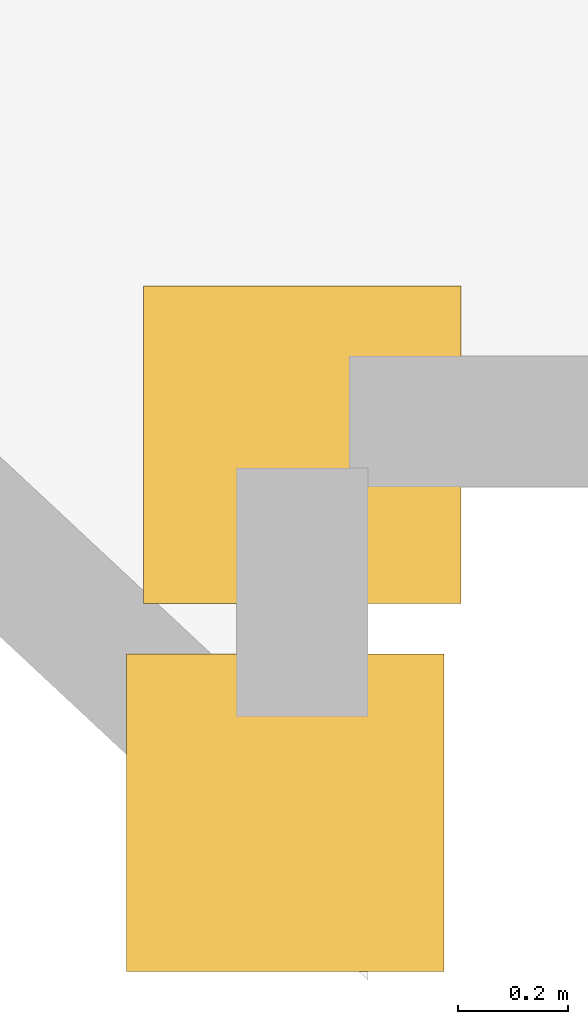
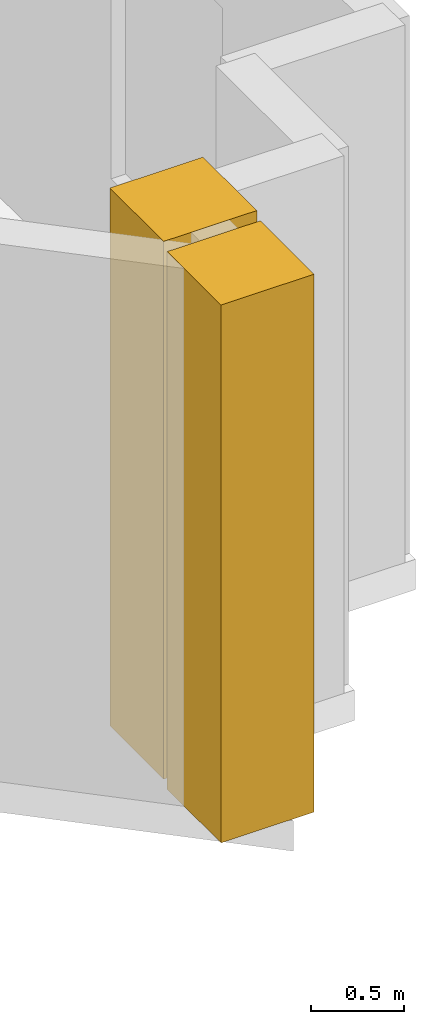
# One storey, part 16 of 16: 2 coverings.
"""IFC4 building model written with IfcOpenShell, lengths in metres."""

from ifc_helpers import new_model, si_unit, direction, frame, origin, origin_2d, place, context, subcontext, project, spatial, rectangle, extrude, material, layer, layer_set, type_object, element, save


model = new_model("IFC4")

# Units and contexts
model_context = context("Model", 3, precision=1e-05, world=origin(), true_north=direction((0.0, 1.0)))
body_context = subcontext(model_context, "Body", "Model", "MODEL_VIEW")
ifc_project = project(units=[si_unit("LENGTHUNIT", "METRE"), si_unit("AREAUNIT", "SQUARE_METRE"), si_unit("VOLUMEUNIT", "CUBIC_METRE"), si_unit("PLANEANGLEUNIT", "RADIAN"), si_unit("MASSUNIT", "GRAM", prefix="KILO")], contexts=[model_context])

# Site, building, storey
site_placement = place(None, origin())
site = spatial("IfcSite", under=ifc_project, at=site_placement, CompositionType="ELEMENT")
building_placement = place(site_placement, origin())
building = spatial("IfcBuilding", under=site, at=building_placement, Name="Haolan Belvedere Tower", CompositionType="ELEMENT")
storey_placement = place(building_placement, frame((0.0, 0.0, 85.60009765625)))
storey = spatial("IfcBuildingStorey", under=building, at=storey_placement, Name="L21", CompositionType="ELEMENT", Elevation=85.60009765625)

# Coverings
ifc_material = material(Name="Pale champagne-silver anodised aluminium rainscreen cladding", Category="aluminium")
ifc_layer = layer(ifc_material, 0.034912109375, Name="Pale champagne-silver anodised aluminium rainscreen cladding")
ifc_layer_set = layer_set([ifc_layer], Name="Pale champagne-silver anodised aluminium rainscreen cladding")
covering_type = type_object("IfcCoveringType", Name="COV-CLAD-35", PredefinedType="CLADDING", material=ifc_layer_set)
for number, where, z_axis, x_axis, name in (
    (1, (73.64892578125, 6.30517578125, 0.0), (0.0, 0.0, 1.0), (1.0, 0.0, 0.0), "L21 pale-metal serrated corner cladding trim 5"),
    (2, (73.679931640625, 6.9775390625, 0.0), (0.0, 0.0, 1.0), (1.0, 0.0, 0.0), "L21 pale-metal serrated corner cladding trim 6"),
):
    element("IfcCovering", number, at=place(storey_placement, frame(where, z_axis=z_axis, x_axis=x_axis)), inside=storey, type_object=covering_type, Name=name, PredefinedType="CLADDING", context=body_context, shape_type="SweptSolid", body=[
        extrude(rectangle(XDim=0.580078125, YDim=0.580078125, at=origin_2d()), origin(), (0.0, 0.0, 1.0), 3.5400390625),
    ])

save(model, "model.ifc")
